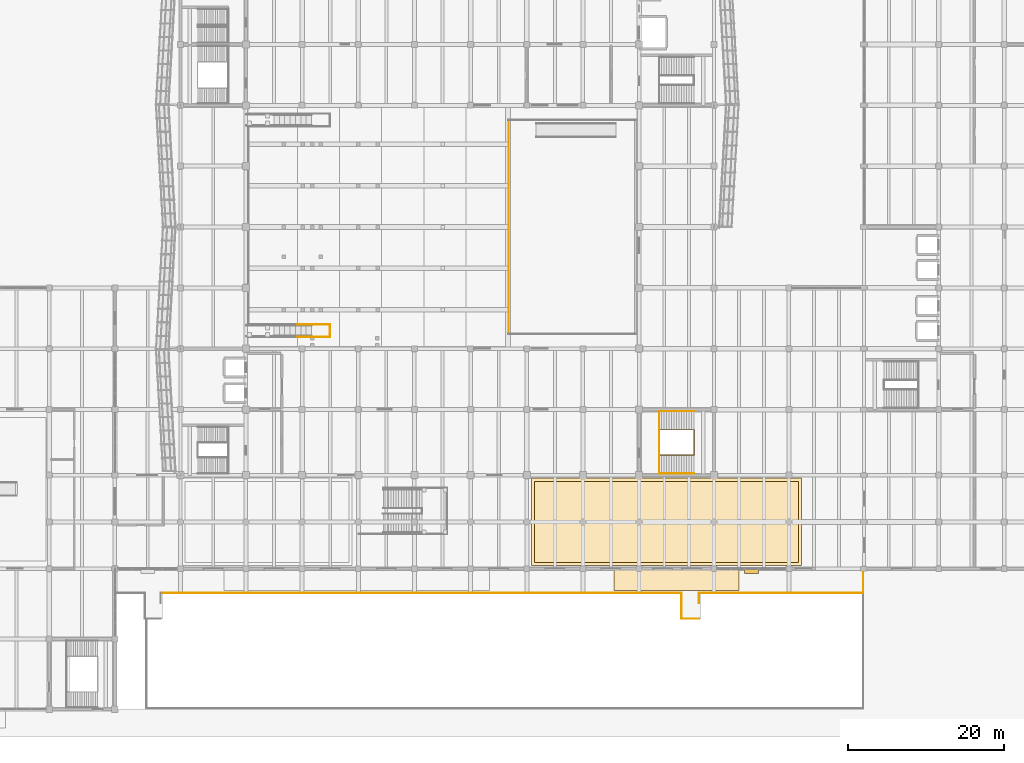
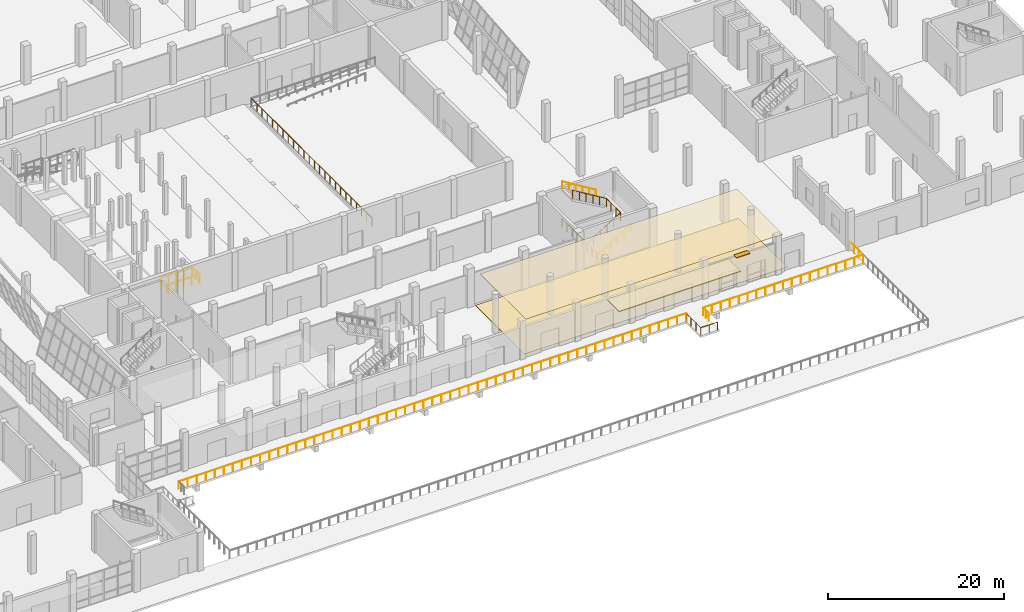
# One storey, part 74 of 78: 12 railings, 3 coverings, 1 shading device.
"""IFC4 building model written with IfcOpenShell, lengths in metres."""

from ifc_helpers import new_model, si_unit, direction, frame, origin, origin_2d, place, context, subcontext, project, spatial, polyline, rectangle, circle, outline, extrude, material, layer, layer_set, type_object, element, save


model = new_model("IFC4")

# Units and contexts
model_context = context("Model", 3, precision=1e-05, world=origin(), true_north=direction((0.0, 1.0)))
body_context = subcontext(model_context, "Body", "Model", "MODEL_VIEW")
ifc_project = project(units=[si_unit("LENGTHUNIT", "METRE"), si_unit("AREAUNIT", "SQUARE_METRE"), si_unit("VOLUMEUNIT", "CUBIC_METRE"), si_unit("PLANEANGLEUNIT", "RADIAN"), si_unit("MASSUNIT", "GRAM", prefix="KILO")], contexts=[model_context])

# Site, building, storey
site_placement = place(None, origin())
site = spatial("IfcSite", under=ifc_project, at=site_placement, CompositionType="ELEMENT")
building_placement = place(site_placement, origin())
building = spatial("IfcBuilding", under=site, at=building_placement, Name="Pellamere Symphony Hall", CompositionType="ELEMENT")
storey_placement = place(building_placement, origin())
storey = spatial("IfcBuildingStorey", under=building, at=storey_placement, Name="L00", CompositionType="ELEMENT", Elevation=0.0)

# Railing
ifc_material_1 = material(Name="Architectural Bronze-Anodised Aluminium Balustrade", Category="aluminium")
railing_type_1 = type_object("IfcRailingType", Name="Balustrade BL-02 H1150 Architectural", PredefinedType="BALUSTRADE", material=ifc_material_1)
railing_1_placement = place(storey_placement, frame((92.47998046875, 48.080078125, 0.85009765625)))
element("IfcRailing", 1, at=railing_1_placement, inside=storey, type_object=railing_type_1, Name="Stage Platform W Edge Balustrade", PredefinedType="BALUSTRADE", context=body_context, shape_type="SweptSolid", body=[
    extrude(circle(Radius=0.02392578125, at=origin_2d()), frame((0.0, 0.0, 1.1259765625), z_axis=(0.0, 1.0, 0.0), x_axis=(-1.0, 0.0, 0.0)), (0.0, 0.0, 1.0), 27.43994140625),
    extrude(circle(Radius=0.02099609375, at=origin_2d()), origin(), (0.0, 0.0, 1.0), 1.101806640625),
    extrude(circle(Radius=0.02099609375, at=origin_2d()), frame((0.0, 1.193115234375, 0.0)), (0.0, 0.0, 1.0), 1.101806640625),
    extrude(circle(Radius=0.02099609375, at=origin_2d()), frame((0.0, 2.385986328125, 0.0)), (0.0, 0.0, 1.0), 1.101806640625),
    extrude(circle(Radius=0.02099609375, at=origin_2d()), frame((0.0, 3.5791015625, 0.0)), (0.0, 0.0, 1.0), 1.101806640625),
    extrude(circle(Radius=0.02099609375, at=origin_2d()), frame((0.0, 4.772216796875, 0.0)), (0.0, 0.0, 1.0), 1.101806640625),
    extrude(circle(Radius=0.02099609375, at=origin_2d()), frame((0.0, 5.965087890625, 0.0)), (0.0, 0.0, 1.0), 1.101806640625),
    extrude(circle(Radius=0.02099609375, at=origin_2d()), frame((0.0, 7.158203125, 0.0)), (0.0, 0.0, 1.0), 1.101806640625),
    extrude(circle(Radius=0.02099609375, at=origin_2d()), frame((0.0, 8.351318359375, 0.0)), (0.0, 0.0, 1.0), 1.101806640625),
    extrude(circle(Radius=0.02099609375, at=origin_2d()), frame((0.0, 9.54443359375, 0.0)), (0.0, 0.0, 1.0), 1.101806640625),
    extrude(circle(Radius=0.02099609375, at=origin_2d()), frame((0.0, 10.7373046875, 0.0)), (0.0, 0.0, 1.0), 1.101806640625),
    extrude(circle(Radius=0.02099609375, at=origin_2d()), frame((0.0, 11.930419921875, 0.0)), (0.0, 0.0, 1.0), 1.101806640625),
    extrude(circle(Radius=0.02099609375, at=origin_2d()), frame((0.0, 13.12353515625, 0.0)), (0.0, 0.0, 1.0), 1.101806640625),
    extrude(circle(Radius=0.02099609375, at=origin_2d()), frame((0.0, 14.31640625, 0.0)), (0.0, 0.0, 1.0), 1.101806640625),
    extrude(circle(Radius=0.02099609375, at=origin_2d()), frame((0.0, 15.509521484375, 0.0)), (0.0, 0.0, 1.0), 1.101806640625),
    extrude(circle(Radius=0.02099609375, at=origin_2d()), frame((0.0, 16.70263671875, 0.0)), (0.0, 0.0, 1.0), 1.101806640625),
    extrude(circle(Radius=0.02099609375, at=origin_2d()), frame((0.0, 17.8955078125, 0.0)), (0.0, 0.0, 1.0), 1.101806640625),
    extrude(circle(Radius=0.02099609375, at=origin_2d()), frame((0.0, 19.088623046875, 0.0)), (0.0, 0.0, 1.0), 1.101806640625),
    extrude(circle(Radius=0.02099609375, at=origin_2d()), frame((0.0, 20.28173828125, 0.0)), (0.0, 0.0, 1.0), 1.101806640625),
    extrude(circle(Radius=0.02099609375, at=origin_2d()), frame((0.0, 21.474853515625, 0.0)), (0.0, 0.0, 1.0), 1.101806640625),
    extrude(circle(Radius=0.02099609375, at=origin_2d()), frame((0.0, 22.667724609375, 0.0)), (0.0, 0.0, 1.0), 1.101806640625),
    extrude(circle(Radius=0.02099609375, at=origin_2d()), frame((0.0, 23.86083984375, 0.0)), (0.0, 0.0, 1.0), 1.101806640625),
    extrude(circle(Radius=0.02099609375, at=origin_2d()), frame((0.0, 25.053955078125, 0.0)), (0.0, 0.0, 1.0), 1.101806640625),
    extrude(circle(Radius=0.02099609375, at=origin_2d()), frame((0.0, 26.246826171875, 0.0)), (0.0, 0.0, 1.0), 1.101806640625),
    extrude(circle(Radius=0.02099609375, at=origin_2d()), frame((0.0, 27.43994140625, 0.0)), (0.0, 0.0, 1.0), 1.101806640625),
])

# Covering
ifc_material_2 = material(Name="Cantilevered Architectural Bronze Entrance Canopy Soffit", Category="aluminium")
ifc_layer_1 = layer(ifc_material_2, 0.1201171875, Name="Cantilevered Architectural Bronze Entrance Canopy Soffit")
ifc_layer_set_1 = layer_set([ifc_layer_1], Name="Cantilevered Architectural Bronze Entrance Canopy Soffit")
covering_type_1 = type_object("IfcCoveringType", Name="Envelope Covering CN-01 120mm", PredefinedType="USERDEFINED", material=ifc_layer_set_1)
covering_1_placement = place(storey_placement, frame((0.0, 0.0, 4.10009765625)))
element("IfcCovering", 2, at=covering_1_placement, inside=storey, type_object=covering_type_1, Name="Entrance Bronze Canopy Soffit 2", ObjectType="CANOPY", PredefinedType="USERDEFINED", context=body_context, shape_type="SweptSolid", body=[
    extrude(outline(polyline([(106.0, 15.199951171875), (122.0, 15.199951171875), (122.0, 18.02001953125), (106.0, 18.02001953125), (106.0, 15.199951171875)])), origin(), (0.0, 0.0, 1.0), 0.119873046875),
])

# Shading device
ifc_material_3 = material(Name="Champagne-Anodised Extruded Aluminium 6063-T6", Category="aluminium")
shading_device_type = type_object("IfcShadingDeviceType", Name="Exterior Shading SD-02 1750x650", PredefinedType="AWNING", material=ifc_material_3)
shading_device_placement = place(storey_placement, frame((123.60009765625, 17.719970703125, 4.41259765625), z_axis=(0.0, 0.0, 1.0), x_axis=(1.0, 0.0, 0.0)))
element("IfcShadingDevice", 3, at=shading_device_placement, inside=storey, type_object=shading_device_type, Name="South Concourse Brise-Soleil Awning (L00 Bay 11)", PredefinedType="AWNING", context=body_context, shape_type="SweptSolid", body=[
    extrude(rectangle(XDim=1.75, YDim=0.64990234375, at=origin_2d()), origin(), (0.0, 0.0, 1.0), 0.074951171875),
])

# Railings
ifc_material_4 = material(Name="Stainless Steel AISI 316", Category="steel")
railing_type_2 = type_object("IfcRailingType", Name="Guardrail GR-01 H1120 Stainless", PredefinedType="GUARDRAIL", material=ifc_material_4)
railing_2_placement = place(storey_placement, frame((114.64990234375, 14.8798828125, 0.0)))
element("IfcRailing", 4, at=railing_2_placement, inside=storey, type_object=railing_type_2, Name="Ramp RMP-02 Arrival Bridge West-South Guard", PredefinedType="GUARDRAIL", context=body_context, shape_type="SweptSolid", body=[
    extrude(circle(Radius=0.02392578125, at=origin_2d()), frame((0.0, 0.0, 1.09619140625), z_axis=(0.0, -1.0, 0.0), x_axis=(1.0, 0.0, 0.0)), (0.0, 0.0, 1.0), 3.27978515625),
    extrude(circle(Radius=0.02392578125, at=origin_2d()), frame((0.0, -3.27978515625, 1.09619140625), z_axis=(1.0, 0.0, 0.0), x_axis=(0.0, 1.0, 0.0)), (0.0, 0.0, 1.0), 2.22998046875),
    extrude(circle(Radius=0.02099609375, at=origin_2d()), origin(), (0.0, 0.0, 1.0), 1.072021484375),
    extrude(circle(Radius=0.02099609375, at=origin_2d()), frame((0.0, -1.09326171875, 0.0)), (0.0, 0.0, 1.0), 1.072021484375),
    extrude(circle(Radius=0.02099609375, at=origin_2d()), frame((0.0, -2.1865234375, 0.0)), (0.0, 0.0, 1.0), 1.072021484375),
    extrude(circle(Radius=0.02099609375, at=origin_2d()), frame((0.0, -3.27978515625, 0.0)), (0.0, 0.0, 1.0), 1.072021484375),
    extrude(circle(Radius=0.02099609375, at=origin_2d()), frame((1.114990234375, -3.27978515625, 0.0)), (0.0, 0.0, 1.0), 1.072021484375),
    extrude(circle(Radius=0.02099609375, at=origin_2d()), frame((2.22998046875, -3.27978515625, 0.0)), (0.0, 0.0, 1.0), 1.072021484375),
])
railing_3_placement = place(storey_placement, frame((116.8798828125, 13.6201171875, 0.0)))
element("IfcRailing", 5, at=railing_3_placement, inside=storey, type_object=railing_type_2, Name="Ramp RMP-02 Arrival Bridge East Guard", PredefinedType="GUARDRAIL", context=body_context, shape_type="SweptSolid", body=[
    extrude(circle(Radius=0.02392578125, at=origin_2d()), frame((0.0, 0.0, 1.09619140625), z_axis=(0.0, 1.0, 0.0), x_axis=(-1.0, 0.0, 0.0)), (0.0, 0.0, 1.0), 1.259765625),
    extrude(circle(Radius=0.02099609375, at=origin_2d()), origin(), (0.0, 0.0, 1.0), 1.072021484375),
    extrude(circle(Radius=0.02099609375, at=origin_2d()), frame((0.0, 0.6298828125, 0.0)), (0.0, 0.0, 1.0), 1.072021484375),
    extrude(circle(Radius=0.02099609375, at=origin_2d()), frame((0.0, 1.259765625, 0.0)), (0.0, 0.0, 1.0), 1.072021484375),
])
railing_4_placement = place(storey_placement, frame((47.8798828125, 14.8798828125, 0.0)))
element("IfcRailing", 6, at=railing_4_placement, inside=storey, type_object=railing_type_2, Name="Safety Guardrail GR-PORCH-2", PredefinedType="GUARDRAIL", context=body_context, shape_type="SweptSolid", body=[
    extrude(circle(Radius=0.02392578125, at=origin_2d()), frame((0.0, 0.0, 1.09619140625), z_axis=(1.0, 0.0, 0.0), x_axis=(0.0, 1.0, 0.0)), (0.0, 0.0, 1.0), 66.77001953125),
    extrude(circle(Radius=0.02099609375, at=origin_2d()), origin(), (0.0, 0.0, 1.0), 1.072021484375),
    extrude(circle(Radius=0.02099609375, at=origin_2d()), frame((1.1923828125, 0.0, 0.0)), (0.0, 0.0, 1.0), 1.072021484375),
    extrude(circle(Radius=0.02099609375, at=origin_2d()), frame((2.384765625, 0.0, 0.0)), (0.0, 0.0, 1.0), 1.072021484375),
    extrude(circle(Radius=0.02099609375, at=origin_2d()), frame((3.576904296875, 0.0, 0.0)), (0.0, 0.0, 1.0), 1.072021484375),
    extrude(circle(Radius=0.02099609375, at=origin_2d()), frame((4.769287109375, 0.0, 0.0)), (0.0, 0.0, 1.0), 1.072021484375),
    extrude(circle(Radius=0.02099609375, at=origin_2d()), frame((5.961669921875, 0.0, 0.0)), (0.0, 0.0, 1.0), 1.072021484375),
    extrude(circle(Radius=0.02099609375, at=origin_2d()), frame((7.15380859375, 0.0, 0.0)), (0.0, 0.0, 1.0), 1.072021484375),
    extrude(circle(Radius=0.02099609375, at=origin_2d()), frame((8.34619140625, 0.0, 0.0)), (0.0, 0.0, 1.0), 1.072021484375),
    extrude(circle(Radius=0.02099609375, at=origin_2d()), frame((9.53857421875, 0.0, 0.0)), (0.0, 0.0, 1.0), 1.072021484375),
    extrude(circle(Radius=0.02099609375, at=origin_2d()), frame((10.73095703125, 0.0, 0.0)), (0.0, 0.0, 1.0), 1.072021484375),
    extrude(circle(Radius=0.02099609375, at=origin_2d()), frame((11.92333984375, 0.0, 0.0)), (0.0, 0.0, 1.0), 1.072021484375),
    extrude(circle(Radius=0.02099609375, at=origin_2d()), frame((13.115478515625, 0.0, 0.0)), (0.0, 0.0, 1.0), 1.072021484375),
    extrude(circle(Radius=0.02099609375, at=origin_2d()), frame((14.307861328125, 0.0, 0.0)), (0.0, 0.0, 1.0), 1.072021484375),
    extrude(circle(Radius=0.02099609375, at=origin_2d()), frame((15.500244140625, 0.0, 0.0)), (0.0, 0.0, 1.0), 1.072021484375),
    extrude(circle(Radius=0.02099609375, at=origin_2d()), frame((16.6923828125, 0.0, 0.0)), (0.0, 0.0, 1.0), 1.072021484375),
    extrude(circle(Radius=0.02099609375, at=origin_2d()), frame((17.884765625, 0.0, 0.0)), (0.0, 0.0, 1.0), 1.072021484375),
    extrude(circle(Radius=0.02099609375, at=origin_2d()), frame((19.0771484375, 0.0, 0.0)), (0.0, 0.0, 1.0), 1.072021484375),
    extrude(circle(Radius=0.02099609375, at=origin_2d()), frame((20.26953125, 0.0, 0.0)), (0.0, 0.0, 1.0), 1.072021484375),
    extrude(circle(Radius=0.02099609375, at=origin_2d()), frame((21.4619140625, 0.0, 0.0)), (0.0, 0.0, 1.0), 1.072021484375),
    extrude(circle(Radius=0.02099609375, at=origin_2d()), frame((22.654052734375, 0.0, 0.0)), (0.0, 0.0, 1.0), 1.072021484375),
    extrude(circle(Radius=0.02099609375, at=origin_2d()), frame((23.846435546875, 0.0, 0.0)), (0.0, 0.0, 1.0), 1.072021484375),
    extrude(circle(Radius=0.02099609375, at=origin_2d()), frame((25.038818359375, 0.0, 0.0)), (0.0, 0.0, 1.0), 1.072021484375),
    extrude(circle(Radius=0.02099609375, at=origin_2d()), frame((26.23095703125, 0.0, 0.0)), (0.0, 0.0, 1.0), 1.072021484375),
    extrude(circle(Radius=0.02099609375, at=origin_2d()), frame((27.42333984375, 0.0, 0.0)), (0.0, 0.0, 1.0), 1.072021484375),
    extrude(circle(Radius=0.02099609375, at=origin_2d()), frame((28.61572265625, 0.0, 0.0)), (0.0, 0.0, 1.0), 1.072021484375),
    extrude(circle(Radius=0.02099609375, at=origin_2d()), frame((29.80810546875, 0.0, 0.0)), (0.0, 0.0, 1.0), 1.072021484375),
    extrude(circle(Radius=0.02099609375, at=origin_2d()), frame((31.00048828125, 0.0, 0.0)), (0.0, 0.0, 1.0), 1.072021484375),
    extrude(circle(Radius=0.02099609375, at=origin_2d()), frame((32.192626953125, 0.0, 0.0)), (0.0, 0.0, 1.0), 1.072021484375),
    extrude(circle(Radius=0.02099609375, at=origin_2d()), frame((33.385009765625, 0.0, 0.0)), (0.0, 0.0, 1.0), 1.072021484375),
    extrude(circle(Radius=0.02099609375, at=origin_2d()), frame((34.577392578125, 0.0, 0.0)), (0.0, 0.0, 1.0), 1.072021484375),
    extrude(circle(Radius=0.02099609375, at=origin_2d()), frame((35.76953125, 0.0, 0.0)), (0.0, 0.0, 1.0), 1.072021484375),
    extrude(circle(Radius=0.02099609375, at=origin_2d()), frame((36.9619140625, 0.0, 0.0)), (0.0, 0.0, 1.0), 1.072021484375),
    extrude(circle(Radius=0.02099609375, at=origin_2d()), frame((38.154296875, 0.0, 0.0)), (0.0, 0.0, 1.0), 1.072021484375),
    extrude(circle(Radius=0.02099609375, at=origin_2d()), frame((39.3466796875, 0.0, 0.0)), (0.0, 0.0, 1.0), 1.072021484375),
    extrude(circle(Radius=0.02099609375, at=origin_2d()), frame((40.5390625, 0.0, 0.0)), (0.0, 0.0, 1.0), 1.072021484375),
    extrude(circle(Radius=0.02099609375, at=origin_2d()), frame((41.731201171875, 0.0, 0.0)), (0.0, 0.0, 1.0), 1.072021484375),
    extrude(circle(Radius=0.02099609375, at=origin_2d()), frame((42.923583984375, 0.0, 0.0)), (0.0, 0.0, 1.0), 1.072021484375),
    extrude(circle(Radius=0.02099609375, at=origin_2d()), frame((44.115966796875, 0.0, 0.0)), (0.0, 0.0, 1.0), 1.072021484375),
    extrude(circle(Radius=0.02099609375, at=origin_2d()), frame((45.30810546875, 0.0, 0.0)), (0.0, 0.0, 1.0), 1.072021484375),
    extrude(circle(Radius=0.02099609375, at=origin_2d()), frame((46.50048828125, 0.0, 0.0)), (0.0, 0.0, 1.0), 1.072021484375),
    extrude(circle(Radius=0.02099609375, at=origin_2d()), frame((47.69287109375, 0.0, 0.0)), (0.0, 0.0, 1.0), 1.072021484375),
    extrude(circle(Radius=0.02099609375, at=origin_2d()), frame((48.88525390625, 0.0, 0.0)), (0.0, 0.0, 1.0), 1.072021484375),
    extrude(circle(Radius=0.02099609375, at=origin_2d()), frame((50.07763671875, 0.0, 0.0)), (0.0, 0.0, 1.0), 1.072021484375),
    extrude(circle(Radius=0.02099609375, at=origin_2d()), frame((51.269775390625, 0.0, 0.0)), (0.0, 0.0, 1.0), 1.072021484375),
    extrude(circle(Radius=0.02099609375, at=origin_2d()), frame((52.462158203125, 0.0, 0.0)), (0.0, 0.0, 1.0), 1.072021484375),
    extrude(circle(Radius=0.02099609375, at=origin_2d()), frame((53.654541015625, 0.0, 0.0)), (0.0, 0.0, 1.0), 1.072021484375),
    extrude(circle(Radius=0.02099609375, at=origin_2d()), frame((54.8466796875, 0.0, 0.0)), (0.0, 0.0, 1.0), 1.072021484375),
    extrude(circle(Radius=0.02099609375, at=origin_2d()), frame((56.0390625, 0.0, 0.0)), (0.0, 0.0, 1.0), 1.072021484375),
    extrude(circle(Radius=0.02099609375, at=origin_2d()), frame((57.2314453125, 0.0, 0.0)), (0.0, 0.0, 1.0), 1.072021484375),
    extrude(circle(Radius=0.02099609375, at=origin_2d()), frame((58.423828125, 0.0, 0.0)), (0.0, 0.0, 1.0), 1.072021484375),
    extrude(circle(Radius=0.02099609375, at=origin_2d()), frame((59.6162109375, 0.0, 0.0)), (0.0, 0.0, 1.0), 1.072021484375),
    extrude(circle(Radius=0.02099609375, at=origin_2d()), frame((60.808349609375, 0.0, 0.0)), (0.0, 0.0, 1.0), 1.072021484375),
    extrude(circle(Radius=0.02099609375, at=origin_2d()), frame((62.000732421875, 0.0, 0.0)), (0.0, 0.0, 1.0), 1.072021484375),
    extrude(circle(Radius=0.02099609375, at=origin_2d()), frame((63.193115234375, 0.0, 0.0)), (0.0, 0.0, 1.0), 1.072021484375),
    extrude(circle(Radius=0.02099609375, at=origin_2d()), frame((64.38525390625, 0.0, 0.0)), (0.0, 0.0, 1.0), 1.072021484375),
    extrude(circle(Radius=0.02099609375, at=origin_2d()), frame((65.57763671875, 0.0, 0.0)), (0.0, 0.0, 1.0), 1.072021484375),
    extrude(circle(Radius=0.02099609375, at=origin_2d()), frame((66.77001953125, 0.0, 0.0)), (0.0, 0.0, 1.0), 1.072021484375),
])
railing_5_placement = place(storey_placement, frame((116.8798828125, 14.8798828125, 0.0)))
element("IfcRailing", 7, at=railing_5_placement, inside=storey, type_object=railing_type_2, Name="Safety Guardrail GR-PORCH-3", PredefinedType="GUARDRAIL", context=body_context, shape_type="SweptSolid", body=[
    extrude(circle(Radius=0.02392578125, at=origin_2d()), frame((0.0, 0.0, 1.09619140625), z_axis=(1.0, 0.0, 0.0), x_axis=(0.0, 1.0, 0.0)), (0.0, 0.0, 1.0), 21.0400390625),
    extrude(circle(Radius=0.02392578125, at=origin_2d()), frame((21.0400390625, 0.0, 1.09619140625), z_axis=(0.0, 1.0, 0.0), x_axis=(-1.0, 0.0, 0.0)), (0.0, 0.0, 1.0), 3.070068359375),
    extrude(circle(Radius=0.02099609375, at=origin_2d()), origin(), (0.0, 0.0, 1.0), 1.072021484375),
    extrude(circle(Radius=0.02099609375, at=origin_2d()), frame((1.1689453125, 0.0, 0.0)), (0.0, 0.0, 1.0), 1.072021484375),
    extrude(circle(Radius=0.02099609375, at=origin_2d()), frame((2.337890625, 0.0, 0.0)), (0.0, 0.0, 1.0), 1.072021484375),
    extrude(circle(Radius=0.02099609375, at=origin_2d()), frame((3.506591796875, 0.0, 0.0)), (0.0, 0.0, 1.0), 1.072021484375),
    extrude(circle(Radius=0.02099609375, at=origin_2d()), frame((4.675537109375, 0.0, 0.0)), (0.0, 0.0, 1.0), 1.072021484375),
    extrude(circle(Radius=0.02099609375, at=origin_2d()), frame((5.844482421875, 0.0, 0.0)), (0.0, 0.0, 1.0), 1.072021484375),
    extrude(circle(Radius=0.02099609375, at=origin_2d()), frame((7.013427734375, 0.0, 0.0)), (0.0, 0.0, 1.0), 1.072021484375),
    extrude(circle(Radius=0.02099609375, at=origin_2d()), frame((8.18212890625, 0.0, 0.0)), (0.0, 0.0, 1.0), 1.072021484375),
    extrude(circle(Radius=0.02099609375, at=origin_2d()), frame((9.35107421875, 0.0, 0.0)), (0.0, 0.0, 1.0), 1.072021484375),
    extrude(circle(Radius=0.02099609375, at=origin_2d()), frame((10.52001953125, 0.0, 0.0)), (0.0, 0.0, 1.0), 1.072021484375),
    extrude(circle(Radius=0.02099609375, at=origin_2d()), frame((11.68896484375, 0.0, 0.0)), (0.0, 0.0, 1.0), 1.072021484375),
    extrude(circle(Radius=0.02099609375, at=origin_2d()), frame((12.85791015625, 0.0, 0.0)), (0.0, 0.0, 1.0), 1.072021484375),
    extrude(circle(Radius=0.02099609375, at=origin_2d()), frame((14.026611328125, 0.0, 0.0)), (0.0, 0.0, 1.0), 1.072021484375),
    extrude(circle(Radius=0.02099609375, at=origin_2d()), frame((15.195556640625, 0.0, 0.0)), (0.0, 0.0, 1.0), 1.072021484375),
    extrude(circle(Radius=0.02099609375, at=origin_2d()), frame((16.364501953125, 0.0, 0.0)), (0.0, 0.0, 1.0), 1.072021484375),
    extrude(circle(Radius=0.02099609375, at=origin_2d()), frame((17.533447265625, 0.0, 0.0)), (0.0, 0.0, 1.0), 1.072021484375),
    extrude(circle(Radius=0.02099609375, at=origin_2d()), frame((18.7021484375, 0.0, 0.0)), (0.0, 0.0, 1.0), 1.072021484375),
    extrude(circle(Radius=0.02099609375, at=origin_2d()), frame((19.87109375, 0.0, 0.0)), (0.0, 0.0, 1.0), 1.072021484375),
    extrude(circle(Radius=0.02099609375, at=origin_2d()), frame((21.0400390625, 0.0, 0.0)), (0.0, 0.0, 1.0), 1.072021484375),
    extrude(circle(Radius=0.02099609375, at=origin_2d()), frame((21.0400390625, 1.0234375, 0.0)), (0.0, 0.0, 1.0), 1.072021484375),
    extrude(circle(Radius=0.02099609375, at=origin_2d()), frame((21.0400390625, 2.046630859375, 0.0)), (0.0, 0.0, 1.0), 1.072021484375),
    extrude(circle(Radius=0.02099609375, at=origin_2d()), frame((21.0400390625, 3.070068359375, 0.0)), (0.0, 0.0, 1.0), 1.072021484375),
])
ifc_material_5 = material(Name="Painted Steel CSA G40.21 350W", Category="steel")
railing_type_3 = type_object("IfcRailingType", Name="Guardrail GR-02 H1150 Painted", PredefinedType="GUARDRAIL", material=ifc_material_5)
railing_6_placement = place(storey_placement, frame((111.77490234375, 32.590087890625, 0.0)))
element("IfcRailing", 8, at=railing_6_placement, inside=storey, type_object=railing_type_3, Name="Stair ST08-L00 Continuous Well Guardrail (L00)", PredefinedType="GUARDRAIL", context=body_context, shape_type="SweptSolid", body=[
    extrude(circle(Radius=0.02392578125, at=origin_2d()), frame((0.0, 0.0, 1.1259765625), z_axis=(0.854953927812, 0.0, 0.518703943805), x_axis=(0.0, 1.0, 0.0)), (0.0, 0.0, 1.0), 5.205078125),
    extrude(circle(Radius=0.02392578125, at=origin_2d()), frame((4.4501953125, 0.0, 3.82568359375), z_axis=(0.0, 1.0, 0.0), x_axis=(-1.0, 0.0, 0.0)), (0.0, 0.0, 1.0), 3.219970703125),
    extrude(circle(Radius=0.02392578125, at=origin_2d()), frame((4.4501953125, 3.219970703125, 3.82568359375), z_axis=(-0.854953927812, 0.0, 0.518703943805), x_axis=(0.0, -1.0, 0.0)), (0.0, 0.0, 1.0), 5.205078125),
    extrude(circle(Radius=0.02099609375, at=origin_2d()), origin(), (0.0, 0.0, 1.0), 1.101806640625),
    extrude(circle(Radius=0.02099609375, at=origin_2d()), frame((0.89013671875, 0.0, 0.5400390625)), (0.0, 0.0, 1.0), 1.101806640625),
    extrude(circle(Radius=0.02099609375, at=origin_2d()), frame((1.780029296875, 0.0, 1.080078125)), (0.0, 0.0, 1.0), 1.101806640625),
    extrude(circle(Radius=0.02099609375, at=origin_2d()), frame((2.670166015625, 0.0, 1.619873046875)), (0.0, 0.0, 1.0), 1.101806640625),
    extrude(circle(Radius=0.02099609375, at=origin_2d()), frame((3.56005859375, 0.0, 2.159912109375)), (0.0, 0.0, 1.0), 1.101806640625),
    extrude(circle(Radius=0.02099609375, at=origin_2d()), frame((4.4501953125, 0.0, 2.699951171875)), (0.0, 0.0, 1.0), 1.101806640625),
    extrude(circle(Radius=0.02099609375, at=origin_2d()), frame((4.4501953125, 1.0732421875, 2.699951171875)), (0.0, 0.0, 1.0), 1.101806640625),
    extrude(circle(Radius=0.02099609375, at=origin_2d()), frame((4.4501953125, 2.146728515625, 2.699951171875)), (0.0, 0.0, 1.0), 1.101806640625),
    extrude(circle(Radius=0.02099609375, at=origin_2d()), frame((4.4501953125, 3.219970703125, 2.699951171875)), (0.0, 0.0, 1.0), 1.101806640625),
    extrude(circle(Radius=0.02099609375, at=origin_2d()), frame((3.56005859375, 3.219970703125, 3.239990234375)), (0.0, 0.0, 1.0), 1.101806640625),
    extrude(circle(Radius=0.02099609375, at=origin_2d()), frame((2.670166015625, 3.219970703125, 3.780029296875)), (0.0, 0.0, 1.0), 1.101806640625),
    extrude(circle(Radius=0.02099609375, at=origin_2d()), frame((1.780029296875, 3.219970703125, 4.31982421875)), (0.0, 0.0, 1.0), 1.101806640625),
    extrude(circle(Radius=0.02099609375, at=origin_2d()), frame((0.89013671875, 3.219970703125, 4.85986328125)), (0.0, 0.0, 1.0), 1.101806640625),
    extrude(circle(Radius=0.02099609375, at=origin_2d()), frame((0.0, 3.219970703125, 5.39990234375)), (0.0, 0.0, 1.0), 1.101806640625),
])
railing_7_placement = place(storey_placement, frame((111.77490234375, 30.2099609375, 0.0)))
element("IfcRailing", 9, at=railing_7_placement, inside=storey, type_object=railing_type_3, Name="Stair ST08-L00 Landing Well Slot Guard (L00)", PredefinedType="GUARDRAIL", context=body_context, shape_type="SweptSolid", body=[
    extrude(circle(Radius=0.02392578125, at=origin_2d()), frame((0.0, 0.0, 1.1259765625), z_axis=(0.0, 1.0, 0.0), x_axis=(-1.0, 0.0, 0.0)), (0.0, 0.0, 1.0), 7.97998046875),
    extrude(circle(Radius=0.02099609375, at=origin_2d()), origin(), (0.0, 0.0, 1.0), 1.101806640625),
    extrude(circle(Radius=0.02099609375, at=origin_2d()), frame((0.0, 1.139892578125, 0.0)), (0.0, 0.0, 1.0), 1.101806640625),
    extrude(circle(Radius=0.02099609375, at=origin_2d()), frame((0.0, 2.280029296875, 0.0)), (0.0, 0.0, 1.0), 1.101806640625),
    extrude(circle(Radius=0.02099609375, at=origin_2d()), frame((0.0, 3.419921875, 0.0)), (0.0, 0.0, 1.0), 1.101806640625),
    extrude(circle(Radius=0.02099609375, at=origin_2d()), frame((0.0, 4.56005859375, 0.0)), (0.0, 0.0, 1.0), 1.101806640625),
    extrude(circle(Radius=0.02099609375, at=origin_2d()), frame((0.0, 5.699951171875, 0.0)), (0.0, 0.0, 1.0), 1.101806640625),
    extrude(circle(Radius=0.02099609375, at=origin_2d()), frame((0.0, 6.840087890625, 0.0)), (0.0, 0.0, 1.0), 1.101806640625),
    extrude(circle(Radius=0.02099609375, at=origin_2d()), frame((0.0, 7.97998046875, 0.0)), (0.0, 0.0, 1.0), 1.101806640625),
])
ifc_material_6 = material(Name="Laminated Safety Glass 21.5mm with Stainless Cap", Category="glass")
railing_type_4 = type_object("IfcRailingType", Name="Guardrail GR-03 H1180 Laminated", PredefinedType="GUARDRAIL", material=ifc_material_6)
railing_8_placement = place(storey_placement, frame((69.56005859375, 47.68994140625, 1.25)))
element("IfcRailing", 10, at=railing_8_placement, inside=storey, type_object=railing_type_4, Name="Vomitory Slot East Edge Balustrade VOM-01", PredefinedType="GUARDRAIL", context=body_context, shape_type="SweptSolid", body=[
    extrude(circle(Radius=0.02392578125, at=origin_2d()), frame((0.0, 0.0, 1.15576171875), z_axis=(0.0, 1.0, 0.0), x_axis=(-1.0, 0.0, 0.0)), (0.0, 0.0, 1.0), 1.6201171875),
    extrude(circle(Radius=0.02099609375, at=origin_2d()), origin(), (0.0, 0.0, 1.0), 1.1318359375),
    extrude(circle(Radius=0.02099609375, at=origin_2d()), frame((0.0, 0.81005859375, 0.0)), (0.0, 0.0, 1.0), 1.1318359375),
    extrude(circle(Radius=0.02099609375, at=origin_2d()), frame((0.0, 1.6201171875, 0.0)), (0.0, 0.0, 1.0), 1.1318359375),
])
for number, where, name in (
    (11, (65.39990234375, 47.68994140625, 1.25), "Vomitory Slot Bay 2 Balustrade VOM-01-1"),
    (12, (65.39990234375, 49.31005859375, 1.25), "Vomitory Slot Bay 2 Balustrade VOM-01-2"),
):
    element("IfcRailing", number, at=place(storey_placement, frame(where)), inside=storey, type_object=railing_type_4, Name=name, PredefinedType="GUARDRAIL", context=body_context, shape_type="SweptSolid", body=[
        extrude(circle(Radius=0.02392578125, at=origin_2d()), frame((0.0, 0.0, 1.15576171875), z_axis=(1.0, 0.0, 0.0), x_axis=(0.0, 1.0, 0.0)), (0.0, 0.0, 1.0), 4.18017578125),
        extrude(circle(Radius=0.02099609375, at=origin_2d()), origin(), (0.0, 0.0, 1.0), 1.1318359375),
        extrude(circle(Radius=0.02099609375, at=origin_2d()), frame((1.044921875, 0.0, 0.0)), (0.0, 0.0, 1.0), 1.1318359375),
        extrude(circle(Radius=0.02099609375, at=origin_2d()), frame((2.090087890625, 0.0, 0.0)), (0.0, 0.0, 1.0), 1.1318359375),
        extrude(circle(Radius=0.02099609375, at=origin_2d()), frame((3.13525390625, 0.0, 0.0)), (0.0, 0.0, 1.0), 1.1318359375),
        extrude(circle(Radius=0.02099609375, at=origin_2d()), frame((4.18017578125, 0.0, 0.0)), (0.0, 0.0, 1.0), 1.1318359375),
    ])
railing_type_5 = type_object("IfcRailingType", Name="Handrail HR-01 H920 Stainless", PredefinedType="HANDRAIL", material=ifc_material_4)
railing_9_placement = place(storey_placement, frame((111.77490234375, 30.219970703125, 0.0)))
element("IfcRailing", 13, at=railing_9_placement, inside=storey, type_object=railing_type_5, Name="Stair ST08-L00 Lower Wall Handrail (L00)", PredefinedType="HANDRAIL", context=body_context, shape_type="SweptSolid", body=[
    extrude(circle(Radius=0.02392578125, at=origin_2d()), frame((0.0, 0.0, 0.89599609375), z_axis=(0.854953927812, 0.0, 0.518703943805), x_axis=(0.0, 1.0, 0.0)), (0.0, 0.0, 1.0), 5.205078125),
    extrude(circle(Radius=0.02099609375, at=origin_2d()), origin(), (0.0, 0.0, 1.0), 0.871826171875),
    extrude(circle(Radius=0.02099609375, at=origin_2d()), frame((0.89013671875, 0.0, 0.5400390625)), (0.0, 0.0, 1.0), 0.871826171875),
    extrude(circle(Radius=0.02099609375, at=origin_2d()), frame((1.780029296875, 0.0, 1.080078125)), (0.0, 0.0, 1.0), 0.871826171875),
    extrude(circle(Radius=0.02099609375, at=origin_2d()), frame((2.670166015625, 0.0, 1.619873046875)), (0.0, 0.0, 1.0), 0.871826171875),
    extrude(circle(Radius=0.02099609375, at=origin_2d()), frame((3.56005859375, 0.0, 2.159912109375)), (0.0, 0.0, 1.0), 0.871826171875),
    extrude(circle(Radius=0.02099609375, at=origin_2d()), frame((4.4501953125, 0.0, 2.699951171875)), (0.0, 0.0, 1.0), 0.871826171875),
])
railing_10_placement = place(storey_placement, frame((116.22509765625, 38.179931640625, 2.699951171875)))
element("IfcRailing", 14, at=railing_10_placement, inside=storey, type_object=railing_type_5, Name="Stair ST08-L00 Upper Wall Handrail (L00)", PredefinedType="HANDRAIL", context=body_context, shape_type="SweptSolid", body=[
    extrude(circle(Radius=0.02392578125, at=origin_2d()), frame((0.0, 0.0, 0.89599609375), z_axis=(-0.854953927812, 0.0, 0.518703943805), x_axis=(0.0, -1.0, 0.0)), (0.0, 0.0, 1.0), 5.205078125),
    extrude(circle(Radius=0.02099609375, at=origin_2d()), origin(), (0.0, 0.0, 1.0), 0.871826171875),
    extrude(circle(Radius=0.02099609375, at=origin_2d()), frame((-0.89013671875, 0.0, 0.5400390625)), (0.0, 0.0, 1.0), 0.871826171875),
    extrude(circle(Radius=0.02099609375, at=origin_2d()), frame((-1.780029296875, 0.0, 1.080078125)), (0.0, 0.0, 1.0), 0.871826171875),
    extrude(circle(Radius=0.02099609375, at=origin_2d()), frame((-2.670166015625, 0.0, 1.619873046875)), (0.0, 0.0, 1.0), 0.871826171875),
    extrude(circle(Radius=0.02099609375, at=origin_2d()), frame((-3.56005859375, 0.0, 2.159912109375)), (0.0, 0.0, 1.0), 0.871826171875),
    extrude(circle(Radius=0.02099609375, at=origin_2d()), frame((-4.4501953125, 0.0, 2.699951171875)), (0.0, 0.0, 1.0), 0.871826171875),
])

# Coverings
ifc_material_7 = material(Name="Micro-Perforated Gypsum Acoustic Foyer Ceiling", Category="gypsum")
ifc_layer_2 = layer(ifc_material_7, 0.06005859375, Name="Micro-Perforated Gypsum Acoustic Foyer Ceiling")
ifc_layer_set_2 = layer_set([ifc_layer_2], Name="Micro-Perforated Gypsum Acoustic Foyer Ceiling")
covering_type_2 = type_object("IfcCoveringType", Name="Interior Covering AC-02 60mm", PredefinedType="CEILING", material=ifc_layer_set_2)
covering_2_placement = place(storey_placement, frame((0.0, 0.0, 4.449951171875)))
element("IfcCovering", 15, at=covering_2_placement, inside=storey, type_object=covering_type_2, Name="Acoustic Foyer Suspended Ceiling 2 (L00)", PredefinedType="CEILING", context=body_context, shape_type="SweptSolid", body=[
    extrude(outline(polyline([(95.800048828125, 18.800048828125), (129.60009765625, 18.800048828125), (129.60009765625, 29.199951171875), (95.800048828125, 29.199951171875), (95.800048828125, 18.800048828125)])), origin(), (0.0, 0.0, 1.0), 0.06005859375),
])
ifc_material_8 = material(Name="Honed Dolomitic Limestone Foyer Terrazzo Flooring", Category="masonry")
ifc_layer_3 = layer(ifc_material_8, 0.034912109375, Name="Honed Dolomitic Limestone Foyer Terrazzo Flooring")
ifc_layer_set_3 = layer_set([ifc_layer_3], Name="Honed Dolomitic Limestone Foyer Terrazzo Flooring")
covering_type_3 = type_object("IfcCoveringType", Name="Interior Covering FL-02 35mm", PredefinedType="FLOORING", material=ifc_layer_set_3)
covering_3_placement = place(storey_placement, origin())
element("IfcCovering", 16, at=covering_3_placement, inside=storey, type_object=covering_type_3, Name="Foyer Honed Limestone Terrazzo Flooring 2", PredefinedType="FLOORING", context=body_context, shape_type="SweptSolid", body=[
    extrude(outline(polyline([(95.39990234375, 18.39990234375), (130.0, 18.39990234375), (130.0, 29.60009765625), (95.39990234375, 29.60009765625), (95.39990234375, 18.39990234375)])), origin(), (0.0, 0.0, 1.0), 0.034912109375),
])

save(model, "model.ifc")
